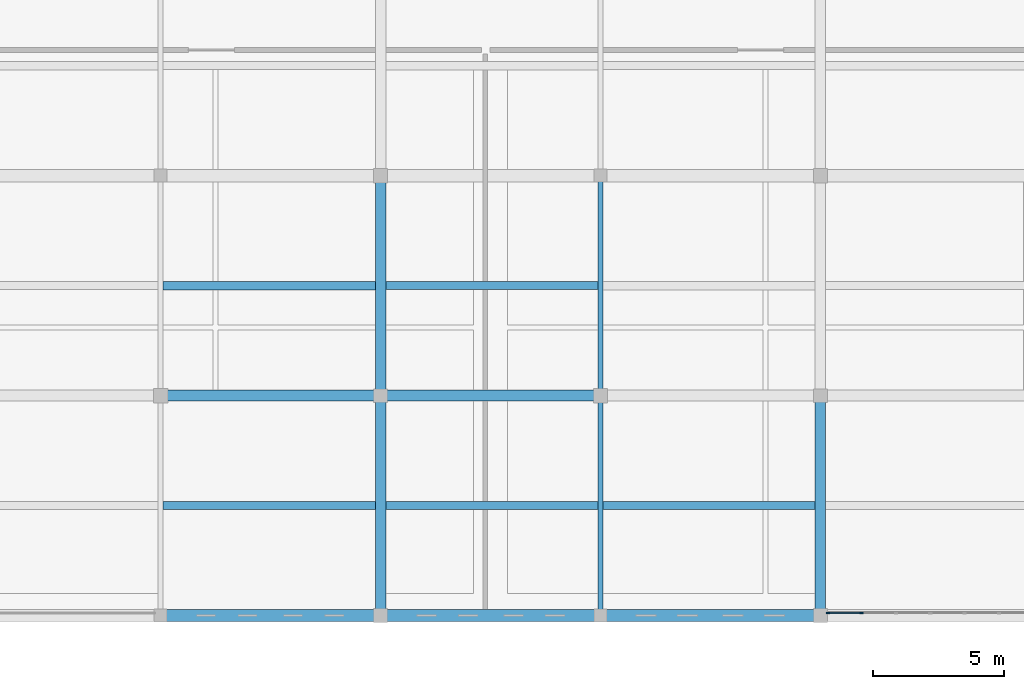
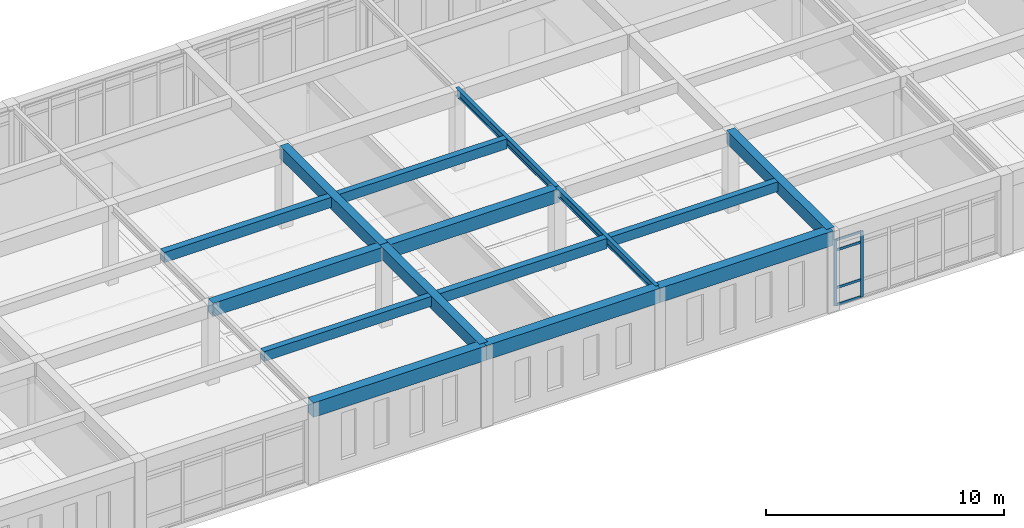
# One storey, part 60 of 192: 15 beams, 6 members, 1 element without a shape of its own.
"""IFC4 building model written with IfcOpenShell, lengths in metres."""

from ifc_helpers import new_model, si_unit, direction, frame, origin, origin_2d, place, context, subcontext, project, spatial, rectangle, i_section, extrude, material, layer, layer_set, material_profile, profile_set, type_object, element, aggregate, save


model = new_model("IFC4")

# Units and contexts
model_context = context("Model", 3, precision=1e-05, world=origin(), true_north=direction((0.0, 1.0)))
body_context = subcontext(model_context, "Body", "Model", "MODEL_VIEW")
ifc_project = project(units=[si_unit("LENGTHUNIT", "METRE"), si_unit("AREAUNIT", "SQUARE_METRE"), si_unit("VOLUMEUNIT", "CUBIC_METRE"), si_unit("PLANEANGLEUNIT", "RADIAN"), si_unit("MASSUNIT", "GRAM", prefix="KILO")], contexts=[model_context])

# Site, building, storey
site_placement = place(None, origin())
site = spatial("IfcSite", under=ifc_project, at=site_placement, CompositionType="ELEMENT")
building_placement = place(site_placement, origin())
building = spatial("IfcBuilding", under=site, at=building_placement, Name="Kveldsbrygga Polytechnic", CompositionType="ELEMENT")
storey_placement = place(building_placement, frame((0.0, 0.0, 5.43994140625)))
storey = spatial("IfcBuildingStorey", under=building, at=storey_placement, Name="L01", CompositionType="ELEMENT", Elevation=5.43994140625)

# Beams
ifc_material_1 = material(Name="Concrete C35/45", Category="concrete")
ifc_material_profile_1 = material_profile(ifc_material_1, rectangle(XDim=0.39990234375, YDim=0.64990234375, at=origin_2d()), Name="RC 400x650")
ifc_profile_set_1 = profile_set([ifc_material_profile_1], Name="Concrete C35/45")
beam_type_1 = type_object("IfcBeamType", Name="BM-RC-400x650", PredefinedType="BEAM", material=ifc_profile_set_1)
beam_1_placement = place(storey_placement, frame((100.800048828125, 0.0, 3.795166015625), z_axis=(0.0, 1.0, 0.0), x_axis=(-1.0, 0.0, 0.0)))
element("IfcBeam", 1, at=beam_1_placement, inside=storey, type_object=beam_type_1, Name="Primary Beam BMY-L01-12-00to01", PredefinedType="BEAM", context=body_context, shape_type="SweptSolid", body=[
    extrude(rectangle(XDim=0.39990234375, YDim=0.64990234375, at=origin_2d()), origin(), (0.0, 0.0, 1.0), 8.39990234375),
])
beam_2_placement = place(storey_placement, frame((100.800048828125, 8.39990234375, 3.795166015625), z_axis=(0.0, 1.0, 0.0), x_axis=(-1.0, 0.0, 0.0)))
element("IfcBeam", 2, at=beam_2_placement, inside=storey, type_object=beam_type_1, Name="Primary Beam BMY-L01-12-01to02", PredefinedType="BEAM", context=body_context, shape_type="SweptSolid", body=[
    extrude(rectangle(XDim=0.39990234375, YDim=0.64990234375, at=origin_2d()), origin(), (0.0, 0.0, 1.0), 8.400146484375),
])
beam_3_placement = place(storey_placement, frame((117.60009765625, 0.0, 3.795166015625), z_axis=(0.0, 1.0, 0.0), x_axis=(-1.0, 0.0, 0.0)))
element("IfcBeam", 3, at=beam_3_placement, inside=storey, type_object=beam_type_1, Name="Primary Beam BMY-L01-14-00to01", PredefinedType="BEAM", context=body_context, shape_type="SweptSolid", body=[
    extrude(rectangle(XDim=0.39990234375, YDim=0.64990234375, at=origin_2d()), origin(), (0.0, 0.0, 1.0), 8.39990234375),
])
ifc_material_profile_2 = material_profile(ifc_material_1, rectangle(XDim=0.419921875, YDim=0.679931640625, at=origin_2d()), Name="RC 420x680")
ifc_profile_set_2 = profile_set([ifc_material_profile_2], Name="Concrete C35/45")
beam_type_2 = type_object("IfcBeamType", Name="BM-RC-420x680", PredefinedType="BEAM", material=ifc_profile_set_2)
beam_4_placement = place(storey_placement, frame((92.39990234375, 8.39990234375, 3.780029296875), z_axis=(1.0, 0.0, 0.0), x_axis=(0.0, 1.0, 0.0)))
element("IfcBeam", 4, at=beam_4_placement, inside=storey, type_object=beam_type_2, Name="Primary Beam BMX-L01-11to12-01", PredefinedType="BEAM", context=body_context, shape_type="SweptSolid", body=[
    extrude(rectangle(XDim=0.419921875, YDim=0.679931640625, at=origin_2d()), origin(), (0.0, 0.0, 1.0), 8.400146484375),
])
beam_5_placement = place(storey_placement, frame((100.800048828125, 8.39990234375, 3.780029296875), z_axis=(1.0, 0.0, 0.0), x_axis=(0.0, 1.0, 0.0)))
element("IfcBeam", 5, at=beam_5_placement, inside=storey, type_object=beam_type_2, Name="Primary Beam BMX-L01-12to13-01", PredefinedType="BEAM", context=body_context, shape_type="SweptSolid", body=[
    extrude(rectangle(XDim=0.419921875, YDim=0.679931640625, at=origin_2d()), origin(), (0.0, 0.0, 1.0), 8.39990234375),
])
ifc_material_profile_3 = material_profile(ifc_material_1, rectangle(XDim=0.4599609375, YDim=0.739990234375, at=origin_2d()), Name="RC 460x740")
ifc_profile_set_3 = profile_set([ifc_material_profile_3], Name="Concrete C35/45")
beam_type_3 = type_object("IfcBeamType", Name="BM-RC-460x740", PredefinedType="BEAM", material=ifc_profile_set_3)
beam_6_placement = place(storey_placement, frame((92.39990234375, 0.0, 3.75), z_axis=(1.0, 0.0, 0.0), x_axis=(0.0, 1.0, 0.0)))
element("IfcBeam", 6, at=beam_6_placement, inside=storey, type_object=beam_type_3, Name="Primary Beam BMX-L01-11to12-00", PredefinedType="BEAM", context=body_context, shape_type="SweptSolid", body=[
    extrude(rectangle(XDim=0.4599609375, YDim=0.739990234375, at=origin_2d()), origin(), (0.0, 0.0, 1.0), 8.400146484375),
])
beam_7_placement = place(storey_placement, frame((100.800048828125, 0.0, 3.75), z_axis=(1.0, 0.0, 0.0), x_axis=(0.0, 1.0, 0.0)))
element("IfcBeam", 7, at=beam_7_placement, inside=storey, type_object=beam_type_3, Name="Primary Beam BMX-L01-12to13-00", PredefinedType="BEAM", context=body_context, shape_type="SweptSolid", body=[
    extrude(rectangle(XDim=0.4599609375, YDim=0.739990234375, at=origin_2d()), origin(), (0.0, 0.0, 1.0), 8.39990234375),
])
beam_8_placement = place(storey_placement, frame((109.199951171875, 0.0, 3.75), z_axis=(1.0, 0.0, 0.0), x_axis=(0.0, 1.0, 0.0)))
element("IfcBeam", 8, at=beam_8_placement, inside=storey, type_object=beam_type_3, Name="Primary Beam BMX-L01-13to14-00", PredefinedType="BEAM", context=body_context, shape_type="SweptSolid", body=[
    extrude(rectangle(XDim=0.4599609375, YDim=0.739990234375, at=origin_2d()), origin(), (0.0, 0.0, 1.0), 8.400146484375),
])
ifc_material_2 = material(Name="Steel S355", Category="steel")
ifc_material_profile_4 = material_profile(ifc_material_2, i_section(OverallWidth=0.179931640625, OverallDepth=0.39990234375, WebThickness=0.008544921875, FlangeThickness=0.013427734375, FilletRadius=0.02099609375, at=origin_2d()), Name="IPE 400")
ifc_profile_set_4 = profile_set([ifc_material_profile_4], Name="Steel S355")
beam_type_4 = type_object("IfcBeamType", Name="BM-STL-IPE400", PredefinedType="BEAM", material=ifc_profile_set_4)
beam_9_placement = place(storey_placement, frame((109.199951171875, 0.0, 3.920166015625), z_axis=(0.0, 1.0, 0.0), x_axis=(-1.0, 0.0, 0.0)))
element("IfcBeam", 9, at=beam_9_placement, inside=storey, type_object=beam_type_4, Name="Primary Beam BMY-L01-13-00to01", PredefinedType="BEAM", context=body_context, shape_type="SweptSolid", body=[
    extrude(i_section(OverallWidth=0.179931640625, OverallDepth=0.39990234375, WebThickness=0.008544921875, FlangeThickness=0.013427734375, FilletRadius=0.02099609375, at=origin_2d()), origin(), (0.0, 0.0, 1.0), 8.39990234375),
])
beam_10_placement = place(storey_placement, frame((109.199951171875, 8.39990234375, 3.920166015625), z_axis=(0.0, 1.0, 0.0), x_axis=(-1.0, 0.0, 0.0)))
element("IfcBeam", 10, at=beam_10_placement, inside=storey, type_object=beam_type_4, Name="Primary Beam BMY-L01-13-01to02", PredefinedType="BEAM", context=body_context, shape_type="SweptSolid", body=[
    extrude(i_section(OverallWidth=0.179931640625, OverallDepth=0.39990234375, WebThickness=0.008544921875, FlangeThickness=0.013427734375, FilletRadius=0.02099609375, at=origin_2d()), origin(), (0.0, 0.0, 1.0), 8.400146484375),
])

# Curtain wall, members
ifc_material_3 = material(Name="Anodised aluminium AW-6060", Category="aluminium")
ifc_layer = layer(ifc_material_3, 0.179931640625)
ifc_layer_set = layer_set([ifc_layer], Name="Anodised aluminium AW-6060")
curtain_wall_type = type_object("IfcCurtainWallType", Name="CW-CONC-A", PredefinedType="USERDEFINED", material=ifc_layer_set)
curtain_wall_placement = place(storey_placement, origin())
curtain_wall = element("IfcCurtainWall", 11, at=curtain_wall_placement, inside=storey, type_object=curtain_wall_type, Name="Curtain Wall CW-L01-X-14-00", ObjectType="UNITISED CURTAIN WALL", PredefinedType="USERDEFINED")
ifc_material_profile_5 = material_profile(ifc_material_3, rectangle(XDim=0.06005859375, YDim=0.139892578125, at=origin_2d()), Name="ALU 60x140")
ifc_profile_set_5 = profile_set([ifc_material_profile_5], Name="Anodised aluminium AW-6060")
member_type_1 = type_object("IfcMemberType", Name="CW-MUL-140", PredefinedType="MULLION", material=ifc_profile_set_5)
member_1_placement = place(storey_placement, frame((117.889892578125, 0.10009765625, 0.0), z_axis=(0.0, 0.0, 1.0), x_axis=(0.0, 1.0, 0.0)))
member_1 = element("IfcMember", 12, at=member_1_placement, type_object=member_type_1, Name="CW-01 mullion 1", PredefinedType="MULLION", context=body_context, shape_type="SweptSolid", body=[
    extrude(rectangle(XDim=0.06005859375, YDim=0.139892578125, at=origin_2d()), origin(), (0.0, 0.0, 1.0), 3.380126953125),
])
member_2_placement = place(storey_placement, frame((119.1708984375, 0.10009765625, 0.0), z_axis=(0.0, 0.0, 1.0), x_axis=(0.0, 1.0, 0.0)))
member_2 = element("IfcMember", 13, at=member_2_placement, type_object=member_type_1, Name="CW-01 mullion 2", PredefinedType="MULLION", context=body_context, shape_type="SweptSolid", body=[
    extrude(rectangle(XDim=0.06005859375, YDim=0.139892578125, at=origin_2d()), origin(), (0.0, 0.0, 1.0), 3.380126953125),
])
ifc_material_profile_6 = material_profile(ifc_material_3, rectangle(XDim=0.06005859375, YDim=0.1201171875, at=origin_2d()), Name="ALU 60x120")
ifc_profile_set_6 = profile_set([ifc_material_profile_6], Name="Anodised aluminium AW-6060")
member_type_2 = type_object("IfcMemberType", Name="CW-TRN-120", PredefinedType="USERDEFINED", material=ifc_profile_set_6)
member_3_placement = place(storey_placement, frame((117.919921875, 0.10009765625, 0.030029296875), z_axis=(1.0, 0.0, 0.0), x_axis=(0.0, 1.0, 0.0)))
member_3 = element("IfcMember", 14, at=member_3_placement, type_object=member_type_2, Name="CW-01 transom 1.1", ObjectType="TRANSOM", PredefinedType="USERDEFINED", context=body_context, shape_type="SweptSolid", body=[
    extrude(rectangle(XDim=0.06005859375, YDim=0.1201171875, at=origin_2d()), origin(), (0.0, 0.0, 1.0), 1.220947265625),
])
member_4_placement = place(storey_placement, frame((117.919921875, 0.10009765625, 0.900146484375), z_axis=(1.0, 0.0, 0.0), x_axis=(0.0, 1.0, 0.0)))
member_4 = element("IfcMember", 15, at=member_4_placement, type_object=member_type_2, Name="CW-01 transom 1.2", ObjectType="TRANSOM", PredefinedType="USERDEFINED", context=body_context, shape_type="SweptSolid", body=[
    extrude(rectangle(XDim=0.06005859375, YDim=0.1201171875, at=origin_2d()), origin(), (0.0, 0.0, 1.0), 1.220947265625),
])
member_5_placement = place(storey_placement, frame((117.919921875, 0.10009765625, 2.830078125), z_axis=(1.0, 0.0, 0.0), x_axis=(0.0, 1.0, 0.0)))
member_5 = element("IfcMember", 16, at=member_5_placement, type_object=member_type_2, Name="CW-01 transom 1.3", ObjectType="TRANSOM", PredefinedType="USERDEFINED", context=body_context, shape_type="SweptSolid", body=[
    extrude(rectangle(XDim=0.06005859375, YDim=0.1201171875, at=origin_2d()), origin(), (0.0, 0.0, 1.0), 1.220947265625),
])
member_6_placement = place(storey_placement, frame((117.919921875, 0.10009765625, 3.35009765625), z_axis=(1.0, 0.0, 0.0), x_axis=(0.0, 1.0, 0.0)))
member_6 = element("IfcMember", 17, at=member_6_placement, type_object=member_type_2, Name="CW-01 transom 1.4", ObjectType="TRANSOM", PredefinedType="USERDEFINED", context=body_context, shape_type="SweptSolid", body=[
    extrude(rectangle(XDim=0.06005859375, YDim=0.1201171875, at=origin_2d()), origin(), (0.0, 0.0, 1.0), 1.220947265625),
])
aggregate(curtain_wall, [member_1, member_2, member_3, member_4, member_5, member_6])

# Beams
ifc_material_profile_7 = material_profile(ifc_material_1, rectangle(XDim=0.300048828125, YDim=0.5, at=origin_2d()), Name="RC 300x500")
ifc_profile_set_7 = profile_set([ifc_material_profile_7], Name="Concrete C35/45")
beam_type_5 = type_object("IfcBeamType", Name="JST-RC-300x500", PredefinedType="JOIST", material=ifc_profile_set_7)
for number, where, z_axis, x_axis, name in (
    (18, (92.489990234375, 4.199951171875, 3.8701171875), (1.0, 0.0, 0.0), (0.0, 1.0, 0.0), "Secondary Joist JST-L01-11-00"),
    (19, (101.0, 12.60009765625, 3.8701171875), (1.0, 0.0, 0.0), (0.0, 1.0, 0.0), "Secondary Joist JST-L01-12-01"),
):
    element("IfcBeam", number, at=place(storey_placement, frame(where, z_axis=z_axis, x_axis=x_axis)), inside=storey, type_object=beam_type_5, Name=name, PredefinedType="JOIST", context=body_context, shape_type="SweptSolid", body=[
        extrude(rectangle(XDim=0.300048828125, YDim=0.5, at=origin_2d()), origin(), (0.0, 0.0, 1.0), 8.110107421875),
    ])
beam_11_placement = place(storey_placement, frame((109.2900390625, 4.199951171875, 3.8701171875), z_axis=(1.0, 0.0, 0.0), x_axis=(0.0, 1.0, 0.0)))
element("IfcBeam", 20, at=beam_11_placement, inside=storey, type_object=beam_type_5, Name="Secondary Joist JST-L01-13-00", PredefinedType="JOIST", context=body_context, shape_type="SweptSolid", body=[
    extrude(rectangle(XDim=0.300048828125, YDim=0.5, at=origin_2d()), origin(), (0.0, 0.0, 1.0), 8.10986328125),
])
ifc_material_profile_8 = material_profile(ifc_material_1, rectangle(XDim=0.320068359375, YDim=0.52001953125, at=origin_2d()), Name="RC 320x520")
ifc_profile_set_8 = profile_set([ifc_material_profile_8], Name="Concrete C35/45")
beam_type_6 = type_object("IfcBeamType", Name="JST-RC-320x520", PredefinedType="JOIST", material=ifc_profile_set_8)
for number, where, z_axis, x_axis, name in (
    (21, (92.489990234375, 12.60009765625, 3.860107421875), (1.0, 0.0, 0.0), (0.0, 1.0, 0.0), "Secondary Joist JST-L01-11-01"),
    (22, (101.0, 4.199951171875, 3.860107421875), (1.0, 0.0, 0.0), (0.0, 1.0, 0.0), "Secondary Joist JST-L01-12-00"),
):
    element("IfcBeam", number, at=place(storey_placement, frame(where, z_axis=z_axis, x_axis=x_axis)), inside=storey, type_object=beam_type_6, Name=name, PredefinedType="JOIST", context=body_context, shape_type="SweptSolid", body=[
        extrude(rectangle(XDim=0.320068359375, YDim=0.52001953125, at=origin_2d()), origin(), (0.0, 0.0, 1.0), 8.110107421875),
    ])

save(model, "model.ifc")
